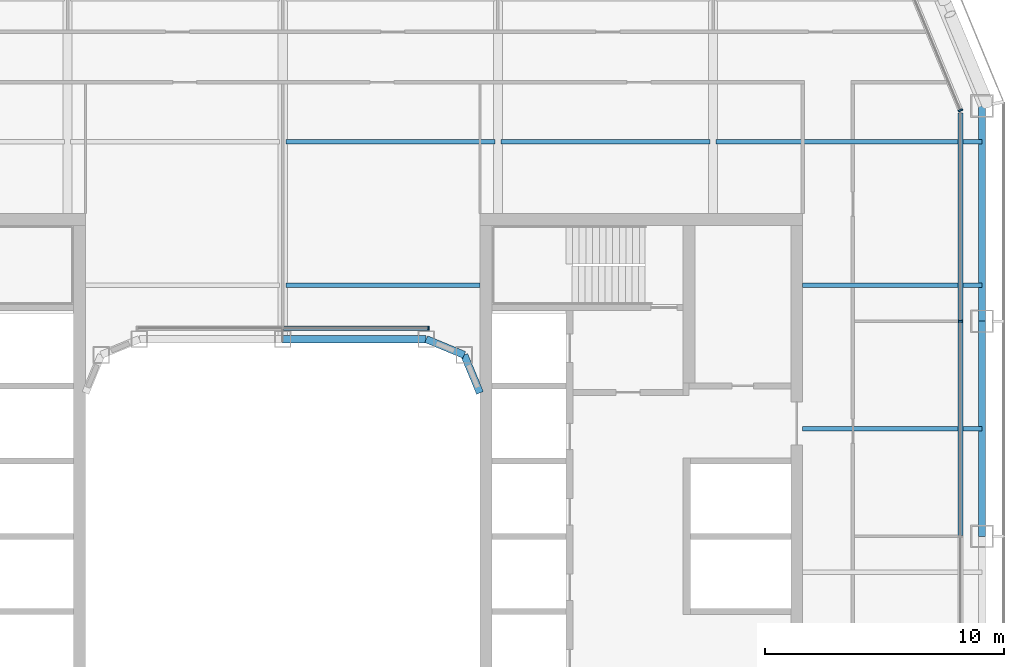
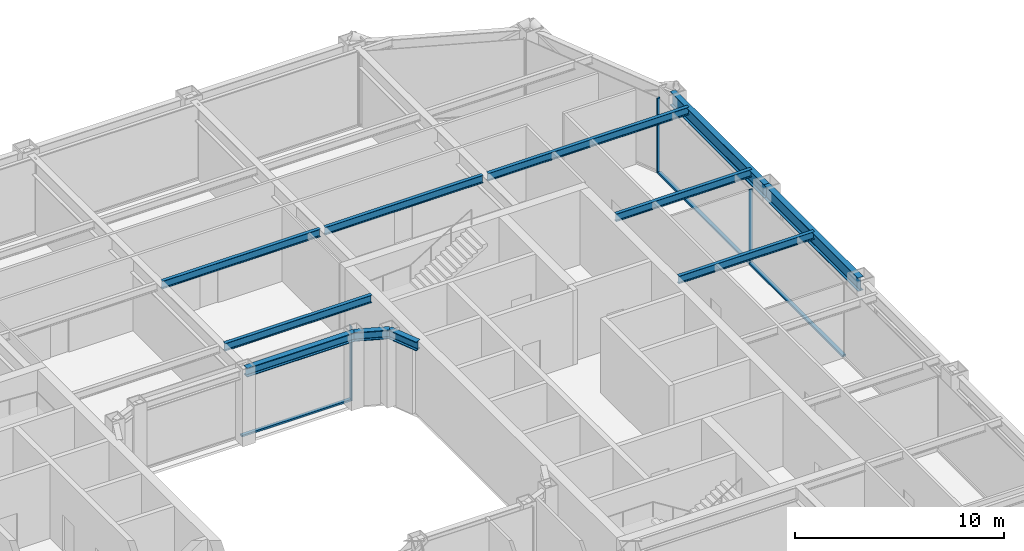
# One storey, part 8 of 23: 11 beams, 6 members, 3 elements without a shape of their own.
"""IFC4 building model written with IfcOpenShell, lengths in metres."""

from ifc_helpers import new_model, si_unit, direction, frame, origin, origin_2d, place, context, subcontext, project, spatial, rectangle, i_section, extrude, material, layer, layer_set, material_profile, profile_set, type_object, element, aggregate, save


model = new_model("IFC4")

# Units and contexts
model_context = context("Model", 3, precision=1e-05, world=origin(), true_north=direction((0.0, 1.0)))
body_context = subcontext(model_context, "Body", "Model", "MODEL_VIEW")
ifc_project = project(units=[si_unit("LENGTHUNIT", "METRE"), si_unit("AREAUNIT", "SQUARE_METRE"), si_unit("VOLUMEUNIT", "CUBIC_METRE"), si_unit("PLANEANGLEUNIT", "RADIAN"), si_unit("MASSUNIT", "GRAM", prefix="KILO")], contexts=[model_context])

# Site, building, storey
site_placement = place(None, origin())
site = spatial("IfcSite", under=ifc_project, at=site_placement, CompositionType="ELEMENT")
building_placement = place(site_placement, origin())
building = spatial("IfcBuilding", under=site, at=building_placement, Name="Siwar Civic Tower", CompositionType="ELEMENT")
storey_placement = place(building_placement, frame((0.0, 0.0, 136.199951171875)))
storey = spatial("IfcBuildingStorey", under=building, at=storey_placement, Name="L29", CompositionType="ELEMENT", Elevation=136.199951171875)

# Curtain wall, member
ifc_material_1 = material(Name="Aluminium and glass", Category="aluminium")
ifc_layer_1 = layer(ifc_material_1, 0.199951171875)
ifc_layer_set_1 = layer_set([ifc_layer_1], Name="Aluminium and glass")
curtain_wall_type_1 = type_object("IfcCurtainWallType", Name="ENV-CW-B", PredefinedType="NOTDEFINED", material=ifc_layer_set_1)
curtain_wall_1_placement = place(storey_placement, origin())
curtain_wall_1 = element("IfcCurtainWall", 1, at=curtain_wall_1_placement, inside=storey, type_object=curtain_wall_type_1, Name="Curtain wall B E", PredefinedType="NOTDEFINED")
ifc_material_2 = material(Name="Aluminium 6063-T6", Category="aluminium")
ifc_material_profile_1 = material_profile(ifc_material_2, rectangle(XDim=0.199951171875, YDim=0.06494140625, at=origin_2d()), Name="AL 200x65")
ifc_profile_set_1 = profile_set([ifc_material_profile_1], Name="Aluminium 6063-T6")
member_type_1 = type_object("IfcMemberType", Name="ENV-MULLION-B", PredefinedType="MULLION", material=ifc_profile_set_1)
member_1_placement = place(storey_placement, frame((28.35009765625, 9.0, 0.0), z_axis=(0.0, 0.0, 1.0), x_axis=(-1.0, 0.0, 0.0)))
member_1 = element("IfcMember", 2, at=member_1_placement, type_object=member_type_1, Name="Mullion B E 4", PredefinedType="MULLION", context=body_context, shape_type="SweptSolid", body=[
    extrude(rectangle(XDim=0.199951171875, YDim=0.06494140625, at=origin_2d()), origin(), (0.0, 0.0, 1.0), 4.35009765625),
])

ifc_material_3 = material(Name="Aluminium clad insulated panel", Category="aluminium")
ifc_layer_2 = layer(ifc_material_3, 0.199951171875)
ifc_layer_set_2 = layer_set([ifc_layer_2], Name="Aluminium clad insulated panel")
curtain_wall_type_2 = type_object("IfcCurtainWallType", Name="ENV-CW-BX", PredefinedType="NOTDEFINED", material=ifc_layer_set_2)
curtain_wall_2_placement = place(storey_placement, origin())
curtain_wall_2 = element("IfcCurtainWall", 3, at=curtain_wall_2_placement, inside=storey, type_object=curtain_wall_type_2, Name="Curtain wall B NE1", PredefinedType="NOTDEFINED")
member_2_placement = place(storey_placement, frame((28.35009765625, 17.821044921875, 0.0), z_axis=(0.0, 0.0, 1.0), x_axis=(-0.923879532511, -0.382683432365, 0.0)))
member_2 = element("IfcMember", 4, at=member_2_placement, type_object=member_type_1, Name="Mullion B NE1 1", PredefinedType="MULLION", context=body_context, shape_type="SweptSolid", body=[
    extrude(rectangle(XDim=0.199951171875, YDim=0.06494140625, at=origin_2d()), origin(), (0.0, 0.0, 1.0), 4.35009765625),
])
aggregate(curtain_wall_2, [member_2])

ifc_material_4 = material(Name="Aluminium and glass", Category="aluminium")
ifc_layer_3 = layer(ifc_material_4, 0.179931640625)
ifc_layer_set_3 = layer_set([ifc_layer_3], Name="Aluminium and glass")
curtain_wall_type_3 = type_object("IfcCurtainWallType", Name="ENV-CW-W", PredefinedType="NOTDEFINED", material=ifc_layer_set_3)
curtain_wall_3_placement = place(storey_placement, origin())
curtain_wall_3 = element("IfcCurtainWall", 5, at=curtain_wall_3_placement, inside=storey, type_object=curtain_wall_type_3, Name="Curtain wall W WN", PredefinedType="NOTDEFINED")
ifc_material_5 = material(Name="Aluminium 6063-T6", Category="aluminium")
ifc_material_profile_2 = material_profile(ifc_material_5, rectangle(XDim=0.179931640625, YDim=0.06005859375, at=origin_2d()), Name="AL 180x60")
ifc_profile_set_2 = profile_set([ifc_material_profile_2], Name="Aluminium 6063-T6")
member_type_2 = type_object("IfcMemberType", Name="ENV-MULLION-W", PredefinedType="MULLION", material=ifc_profile_set_2)
member_3_placement = place(storey_placement, frame((6.091552734375, 8.7099609375, 0.0), z_axis=(0.0, 0.0, 1.0), x_axis=(0.0, -1.0, 0.0)))
member_3 = element("IfcMember", 6, at=member_3_placement, type_object=member_type_2, Name="Mullion W WN 1", PredefinedType="MULLION", context=body_context, shape_type="SweptSolid", body=[
    extrude(rectangle(XDim=0.179931640625, YDim=0.06005859375, at=origin_2d()), origin(), (0.0, 0.0, 1.0), 4.35009765625),
])

# Member
ifc_material_6 = material(Name="Aluminium 6063-T6", Category="aluminium")
ifc_material_profile_3 = material_profile(ifc_material_6, rectangle(XDim=0.199951171875, YDim=0.110107421875, at=origin_2d()), Name="AL 200x110")
ifc_profile_set_3 = profile_set([ifc_material_profile_3], Name="Aluminium 6063-T6")
member_type_3 = type_object("IfcMemberType", Name="ENV-TRANSOM-B", PredefinedType="USERDEFINED", material=ifc_profile_set_3)
member_4_placement = place(storey_placement, frame((28.35009765625, 0.032470703125, 0.054931640625), z_axis=(0.0, 1.0, 0.0), x_axis=(-1.0, 0.0, 0.0)))
member_4 = element("IfcMember", 7, at=member_4_placement, type_object=member_type_3, Name="Transom B E 3", ObjectType="TRANSOM", PredefinedType="USERDEFINED", context=body_context, shape_type="SweptSolid", body=[
    extrude(rectangle(XDim=0.199951171875, YDim=0.110107421875, at=origin_2d()), origin(), (0.0, 0.0, 1.0), 8.93505859375),
])

member_5_placement = place(storey_placement, frame((28.35009765625, 9.032470703125, 0.054931640625), z_axis=(0.0, 1.0, 0.0), x_axis=(-1.0, 0.0, 0.0)))
member_5 = element("IfcMember", 8, at=member_5_placement, type_object=member_type_3, Name="Transom B E 4", ObjectType="TRANSOM", PredefinedType="USERDEFINED", context=body_context, shape_type="SweptSolid", body=[
    extrude(rectangle(XDim=0.199951171875, YDim=0.110107421875, at=origin_2d()), origin(), (0.0, 0.0, 1.0), 8.6748046875),
])

aggregate(curtain_wall_1, [member_1, member_4, member_5])

ifc_material_7 = material(Name="Aluminium 6063-T6", Category="aluminium")
ifc_material_profile_4 = material_profile(ifc_material_7, rectangle(XDim=0.179931640625, YDim=0.10009765625, at=origin_2d()), Name="AL 180x100")
ifc_profile_set_4 = profile_set([ifc_material_profile_4], Name="Aluminium 6063-T6")
member_type_4 = type_object("IfcMemberType", Name="ENV-TRANSOM-W", PredefinedType="USERDEFINED", material=ifc_profile_set_4)
member_6_placement = place(storey_placement, frame((6.0615234375, 8.7099609375, 0.050048828125), z_axis=(-1.0, 0.0, 0.0), x_axis=(0.0, -1.0, 0.0)))
member_6 = element("IfcMember", 9, at=member_6_placement, type_object=member_type_4, Name="Transom W WN 1", ObjectType="TRANSOM", PredefinedType="USERDEFINED", context=body_context, shape_type="SweptSolid", body=[
    extrude(rectangle(XDim=0.179931640625, YDim=0.10009765625, at=origin_2d()), origin(), (0.0, 0.0, 1.0), 6.031494140625),
])

aggregate(curtain_wall_3, [member_3, member_6])

# Beams
ifc_material_8 = material(Name="Steel S355", Category="steel")
ifc_material_profile_5 = material_profile(ifc_material_8, i_section(OverallWidth=0.18994140625, OverallDepth=0.449951171875, WebThickness=0.009521484375, FlangeThickness=0.0146484375, FilletRadius=0.02099609375, at=origin_2d()), Name="IPE450")
ifc_profile_set_5 = profile_set([ifc_material_profile_5], Name="Steel S355")
beam_type_1 = type_object("IfcBeamType", Name="STR-FB-IPE450", PredefinedType="JOIST", material=ifc_profile_set_5)
beam_1_placement = place(storey_placement, frame((21.75, 4.5, 4.125), z_axis=(1.0, 0.0, 0.0), x_axis=(0.0, 1.0, 0.0)))
element("IfcBeam", 10, at=beam_1_placement, inside=storey, type_object=beam_type_1, Name="L29/bm/F026", PredefinedType="JOIST", context=body_context, shape_type="SweptSolid", body=[
    extrude(i_section(OverallWidth=0.18994140625, OverallDepth=0.449951171875, WebThickness=0.009521484375, FlangeThickness=0.0146484375, FilletRadius=0.02099609375, at=origin_2d()), origin(), (0.0, 0.0, 1.0), 7.5),
])
beam_2_placement = place(storey_placement, frame((0.1298828125, 10.5, 4.125), z_axis=(1.0, 0.0, 0.0), x_axis=(0.0, 1.0, 0.0)))
element("IfcBeam", 11, at=beam_2_placement, inside=storey, type_object=beam_type_1, Name="L29/bm/F029", PredefinedType="JOIST", context=body_context, shape_type="SweptSolid", body=[
    extrude(i_section(OverallWidth=0.18994140625, OverallDepth=0.449951171875, WebThickness=0.009521484375, FlangeThickness=0.0146484375, FilletRadius=0.02099609375, at=origin_2d()), origin(), (0.0, 0.0, 1.0), 8.1201171875),
])
beam_3_placement = place(storey_placement, frame((21.75, 10.5, 4.125), z_axis=(1.0, 0.0, 0.0), x_axis=(0.0, 1.0, 0.0)))
element("IfcBeam", 12, at=beam_3_placement, inside=storey, type_object=beam_type_1, Name="L29/bm/F030", PredefinedType="JOIST", context=body_context, shape_type="SweptSolid", body=[
    extrude(i_section(OverallWidth=0.18994140625, OverallDepth=0.449951171875, WebThickness=0.009521484375, FlangeThickness=0.0146484375, FilletRadius=0.02099609375, at=origin_2d()), origin(), (0.0, 0.0, 1.0), 7.5),
])
for number, where, z_axis, x_axis, name in (
    (13, (0.1298828125, 16.5, 4.125), (1.0, 0.0, 0.0), (0.0, 1.0, 0.0), "L29/bm/F034"),
    (14, (9.1298828125, 16.5, 4.125), (1.0, 0.0, 0.0), (0.0, 1.0, 0.0), "L29/bm/F035"),
):
    element("IfcBeam", number, at=place(storey_placement, frame(where, z_axis=z_axis, x_axis=x_axis)), inside=storey, type_object=beam_type_1, Name=name, PredefinedType="JOIST", context=body_context, shape_type="SweptSolid", body=[
        extrude(i_section(OverallWidth=0.18994140625, OverallDepth=0.449951171875, WebThickness=0.009521484375, FlangeThickness=0.0146484375, FilletRadius=0.02099609375, at=origin_2d()), origin(), (0.0, 0.0, 1.0), 8.740234375),
    ])
beam_4_placement = place(storey_placement, frame((18.1298828125, 16.5, 4.125), z_axis=(1.0, 0.0, 0.0), x_axis=(0.0, 1.0, 0.0)))
element("IfcBeam", 15, at=beam_4_placement, inside=storey, type_object=beam_type_1, Name="L29/bm/F036", PredefinedType="JOIST", context=body_context, shape_type="SweptSolid", body=[
    extrude(i_section(OverallWidth=0.18994140625, OverallDepth=0.449951171875, WebThickness=0.009521484375, FlangeThickness=0.0146484375, FilletRadius=0.02099609375, at=origin_2d()), origin(), (0.0, 0.0, 1.0), 11.1201171875),
])
ifc_material_9 = material(Name="Steel S355", Category="steel")
ifc_material_profile_6 = material_profile(ifc_material_9, i_section(OverallWidth=0.305908203125, OverallDepth=0.52392578125, WebThickness=0.02099609375, FlangeThickness=0.0400390625, FilletRadius=0.027099609375, at=origin_2d()), Name="HEM500")
ifc_profile_set_6 = profile_set([ifc_material_profile_6], Name="Steel S355")
beam_type_2 = type_object("IfcBeamType", Name="STR-RB-HEM500", PredefinedType="BEAM", material=ifc_profile_set_6)
beam_5_placement = place(storey_placement, frame((0.0, 8.25, 4.088134765625), z_axis=(1.0, 0.0, 0.0), x_axis=(0.0, 1.0, 0.0)))
element("IfcBeam", 16, at=beam_5_placement, inside=storey, type_object=beam_type_2, Name="L29/bm/RN2", PredefinedType="BEAM", context=body_context, shape_type="SweptSolid", body=[
    extrude(i_section(OverallWidth=0.305908203125, OverallDepth=0.52392578125, WebThickness=0.02099609375, FlangeThickness=0.0400390625, FilletRadius=0.027099609375, at=origin_2d()), origin(), (0.0, 0.0, 1.0), 6.0),
])
for number, where, z_axis, x_axis, name in (
    (17, (6.0, 8.25, 4.088134765625), (0.923901072997, -0.382631424892, 0.0), (0.382631424892, 0.923901072997, 0.0), "L29/bm/RN3"),
    (18, (7.591064453125, 7.591064453125, 4.088134765625), (0.382631424892, -0.923901072997, 0.0), (0.923901072997, 0.382631424892, 0.0), "L29/bm/RNEE"),
):
    element("IfcBeam", number, at=place(storey_placement, frame(where, z_axis=z_axis, x_axis=x_axis)), inside=storey, type_object=beam_type_2, Name=name, PredefinedType="BEAM", context=body_context, shape_type="SweptSolid", body=[
        extrude(i_section(OverallWidth=0.305908203125, OverallDepth=0.52392578125, WebThickness=0.02099609375, FlangeThickness=0.0400390625, FilletRadius=0.027099609375, at=origin_2d()), origin(), (0.0, 0.0, 1.0), 1.72216796875),
    ])
ifc_material_10 = material(Name="Steel S355", Category="steel")
ifc_material_profile_7 = material_profile(ifc_material_10, i_section(OverallWidth=0.300048828125, OverallDepth=0.800048828125, WebThickness=0.017578125, FlangeThickness=0.032958984375, FilletRadius=0.030029296875, at=origin_2d()), Name="HEB800")
ifc_profile_set_7 = profile_set([ifc_material_profile_7], Name="Steel S355")
beam_type_3 = type_object("IfcBeamType", Name="STR-SB-HEB800", PredefinedType="BEAM", material=ifc_profile_set_7)
for number, where, z_axis, x_axis, name in (
    (19, (29.25, 0.0, 3.949951171875), (0.0, 1.0, 0.0), (-1.0, 0.0, 0.0), "L29/bm/SE-2"),
    (20, (29.25, 9.0, 3.949951171875), (0.0, 1.0, 0.0), (-1.0, 0.0, 0.0), "L29/bm/SE-3"),
):
    element("IfcBeam", number, at=place(storey_placement, frame(where, z_axis=z_axis, x_axis=x_axis)), inside=storey, type_object=beam_type_3, Name=name, PredefinedType="BEAM", context=body_context, shape_type="SweptSolid", body=[
        extrude(i_section(OverallWidth=0.300048828125, OverallDepth=0.800048828125, WebThickness=0.017578125, FlangeThickness=0.032958984375, FilletRadius=0.030029296875, at=origin_2d()), origin(), (0.0, 0.0, 1.0), 9.0),
    ])

save(model, "model.ifc")
